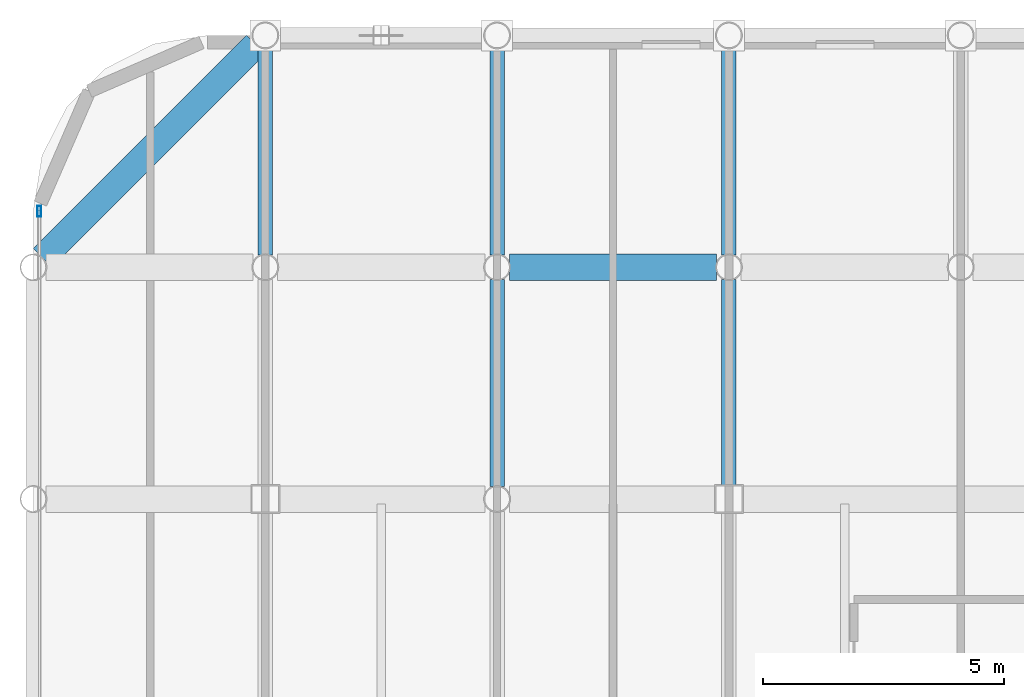
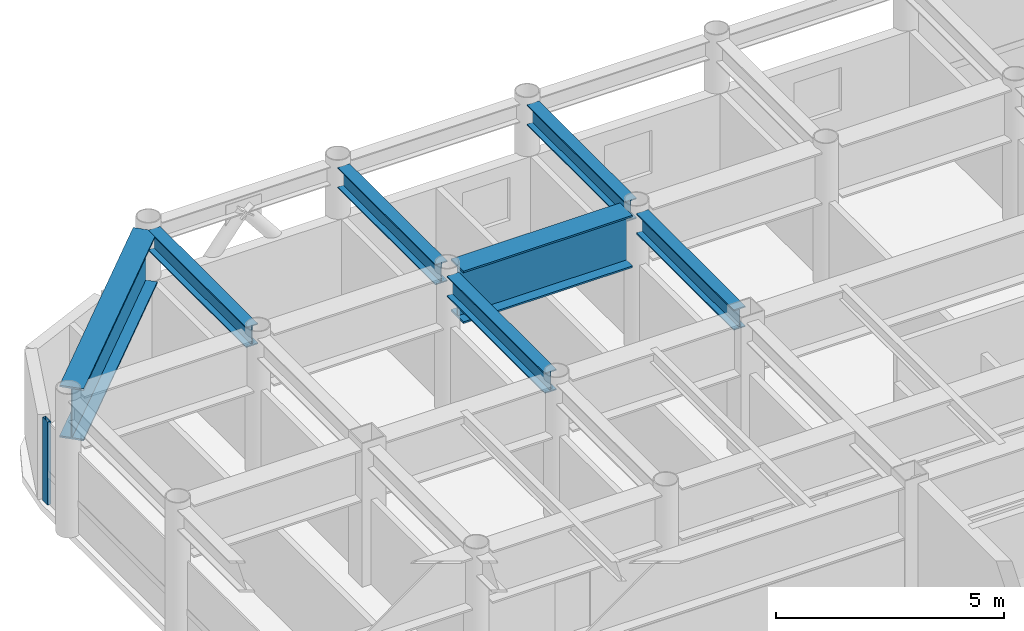
# One storey, part 12 of 26: 7 beams, 1 member, 1 element without a shape of its own.
"""IFC4 building model written with IfcOpenShell, lengths in metres."""

from ifc_helpers import new_model, si_unit, direction, frame, origin, origin_2d, place, context, subcontext, project, spatial, hollow_rectangle, i_section, extrude, material, layer, layer_set, material_profile, profile_set, type_object, element, aggregate, save


model = new_model("IFC4")

# Units and contexts
model_context = context("Model", 3, precision=1e-05, world=origin(), true_north=direction((0.0, 1.0)))
body_context = subcontext(model_context, "Body", "Model", "MODEL_VIEW")
ifc_project = project(units=[si_unit("LENGTHUNIT", "METRE"), si_unit("AREAUNIT", "SQUARE_METRE"), si_unit("VOLUMEUNIT", "CUBIC_METRE"), si_unit("PLANEANGLEUNIT", "RADIAN"), si_unit("MASSUNIT", "GRAM", prefix="KILO")], contexts=[model_context])

# Site, building, storey
site_placement = place(None, origin())
site = spatial("IfcSite", under=ifc_project, at=site_placement, CompositionType="ELEMENT")
building_placement = place(site_placement, origin())
building = spatial("IfcBuilding", under=site, at=building_placement, Name="Kallvorn Hotel Tower", CompositionType="ELEMENT")
storey_placement = place(building_placement, frame((0.0, 0.0, 222.300048828125)))
storey = spatial("IfcBuildingStorey", under=building, at=storey_placement, Name="L55", CompositionType="ELEMENT", Elevation=222.300048828125)

# Beams
ifc_material_1 = material(Name="Structural steel S355JR", Category="steel")
ifc_material_profile_1 = material_profile(ifc_material_1, i_section(OverallWidth=0.300048828125, OverallDepth=0.550048828125, WebThickness=0.014892578125, FlangeThickness=0.029052734375, at=origin_2d()), Name="HE 550 B")
ifc_profile_set_1 = profile_set([ifc_material_profile_1], Name="Structural steel S355JR")
beam_type_1 = type_object("IfcBeamType", Name="BM_HE550B", PredefinedType="SPANDREL", material=ifc_profile_set_1)
for number, where, z_axis, x_axis, name in (
    (1, (-24.0, 19.45458984375, 3.39501953125), (0.0, 1.0, 0.0), (-1.0, 0.0, 0.0), "L56 Primary Y-Girder 87"),
    (2, (-19.199951171875, 14.654541015625, 3.39501953125), (0.0, 1.0, 0.0), (-1.0, 0.0, 0.0), "L56 Primary Y-Girder 95"),
    (3, (-19.199951171875, 19.45458984375, 3.39501953125), (0.0, 1.0, 0.0), (-1.0, 0.0, 0.0), "L56 Primary Y-Girder 96"),
):
    element("IfcBeam", number, at=place(storey_placement, frame(where, z_axis=z_axis, x_axis=x_axis)), inside=storey, type_object=beam_type_1, Name=name, PredefinedType="SPANDREL", context=body_context, shape_type="SweptSolid", body=[
        extrude(i_section(OverallWidth=0.300048828125, OverallDepth=0.550048828125, WebThickness=0.014892578125, FlangeThickness=0.029052734375, at=origin_2d()), origin(), (0.0, 0.0, 1.0), 4.291015625),
    ])
beam_1_placement = place(storey_placement, frame((-14.39990234375, 14.675048828125, 3.39501953125), z_axis=(0.0, 1.0, 0.0), x_axis=(-1.0, 0.0, 0.0)))
element("IfcBeam", 4, at=beam_1_placement, inside=storey, type_object=beam_type_1, Name="L56 Primary Y-Girder 100", PredefinedType="SPANDREL", context=body_context, shape_type="SweptSolid", body=[
    extrude(i_section(OverallWidth=0.300048828125, OverallDepth=0.550048828125, WebThickness=0.014892578125, FlangeThickness=0.029052734375, at=origin_2d()), origin(), (0.0, 0.0, 1.0), 4.2705078125),
])
beam_2_placement = place(storey_placement, frame((-14.39990234375, 19.45458984375, 3.39501953125), z_axis=(0.0, 1.0, 0.0), x_axis=(-1.0, 0.0, 0.0)))
element("IfcBeam", 5, at=beam_2_placement, inside=storey, type_object=beam_type_1, Name="L56 Primary Y-Girder 101", PredefinedType="SPANDREL", context=body_context, shape_type="SweptSolid", body=[
    extrude(i_section(OverallWidth=0.300048828125, OverallDepth=0.550048828125, WebThickness=0.014892578125, FlangeThickness=0.029052734375, at=origin_2d()), origin(), (0.0, 0.0, 1.0), 4.291015625),
])
ifc_material_2 = material(Name="Structural steel S355JR", Category="steel")
ifc_material_profile_2 = material_profile(ifc_material_2, i_section(OverallWidth=0.550048828125, OverallDepth=1.39990234375, WebThickness=0.02490234375, FlangeThickness=0.044921875, at=origin_2d()), Name="PG 1400x550x25x45")
ifc_profile_set_2 = profile_set([ifc_material_profile_2], Name="Structural steel S355JR")
beam_type_2 = type_object("IfcBeamType", Name="BM_PG_1400", PredefinedType="BEAM", material=ifc_profile_set_2)
beam_3_placement = place(storey_placement, frame((-18.945556640625, 19.199951171875, 2.969970703125), z_axis=(1.0, 0.0, 0.0), x_axis=(0.0, 1.0, 0.0)))
element("IfcBeam", 6, at=beam_3_placement, inside=storey, type_object=beam_type_2, Name="L56 Primary X-Girder 62", PredefinedType="BEAM", context=body_context, shape_type="SweptSolid", body=[
    extrude(i_section(OverallWidth=0.550048828125, OverallDepth=1.39990234375, WebThickness=0.02490234375, FlangeThickness=0.044921875, at=origin_2d()), origin(), (0.0, 0.0, 1.0), 4.291015625),
])
beam_4_placement = place(storey_placement, frame((-28.609375, 19.390625, 2.969970703125), z_axis=(0.707106781187, 0.707106781187, 0.0), x_axis=(-0.707106781187, 0.707106781187, 0.0)))
element("IfcBeam", 7, at=beam_4_placement, inside=storey, type_object=beam_type_2, Name="L56 Rounded Corner Tie Beam 189", PredefinedType="BEAM", context=body_context, shape_type="SweptSolid", body=[
    extrude(i_section(OverallWidth=0.550048828125, OverallDepth=1.39990234375, WebThickness=0.02490234375, FlangeThickness=0.044921875, at=origin_2d()), origin(), (0.0, 0.0, 1.0), 6.2490234375),
])

# Curtain wall, member
ifc_material_3 = material(Name="Thermally broken black-anodised aluminium AA 6063-T6", Category="aluminium")
ifc_layer = layer(ifc_material_3, 0.22998046875)
ifc_layer_set = layer_set([ifc_layer], Name="CW_SYS_5_HOTEL_HIGH")
curtain_wall_type = type_object("IfcCurtainWallType", Name="CW_SYS_5_HOTEL_HIGH", PredefinedType="USERDEFINED", material=ifc_layer_set)
curtain_wall_placement = place(storey_placement, origin())
curtain_wall = element("IfcCurtainWall", 8, at=curtain_wall_placement, inside=storey, type_object=curtain_wall_type, Name="L55 Dark-Glass Curtain Wall CW-L55-WN", ObjectType="UNITISED CURTAIN WALL", PredefinedType="USERDEFINED")
ifc_material_4 = material(Name="Thermally broken black-anodised aluminium AA 6063-T6", Category="aluminium")
ifc_material_profile_3 = material_profile(ifc_material_4, hollow_rectangle(XDim=0.080078125, YDim=0.219970703125, WallThickness=0.0048828125, at=origin_2d()), Name="MUL 220x80")
ifc_profile_set_3 = profile_set([ifc_material_profile_3], Name="Thermally broken black-anodised aluminium AA 6063-T6")
member_type = type_object("IfcMemberType", Name="CW_MULLION_220x80", PredefinedType="MULLION", material=ifc_profile_set_3)
member_placement = place(storey_placement, frame((-28.679931640625, 20.360107421875, 0.02001953125), z_axis=(0.0, 0.0, 1.0), x_axis=(1.0, 0.0, 0.0)))
member = element("IfcMember", 9, at=member_placement, type_object=member_type, Name="CW-L55-WN Mullion 01", PredefinedType="MULLION", context=body_context, shape_type="SweptSolid", body=[
    extrude(hollow_rectangle(XDim=0.080078125, YDim=0.219970703125, WallThickness=0.0048828125, at=origin_2d()), origin(), (0.0, 0.0, 1.0), 2.22998046875),
])
aggregate(curtain_wall, [member])

save(model, "model.ifc")
